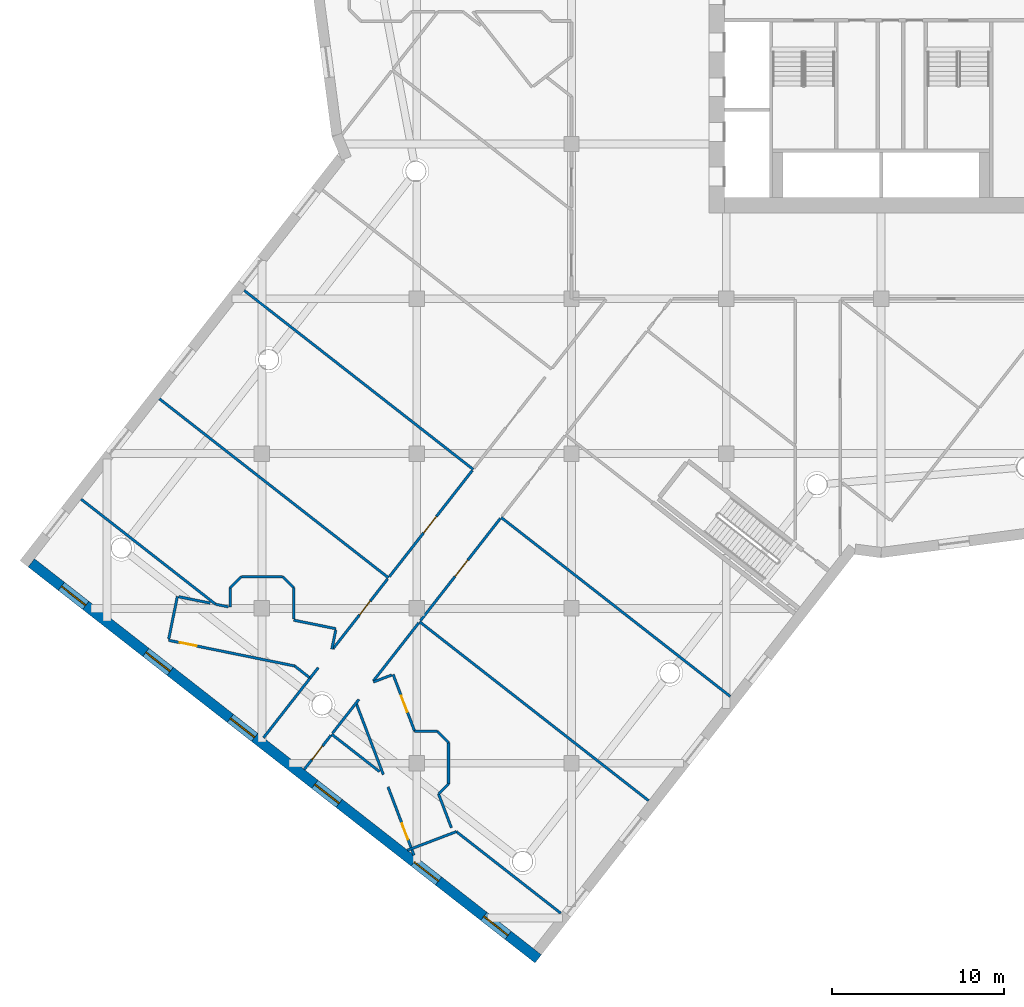
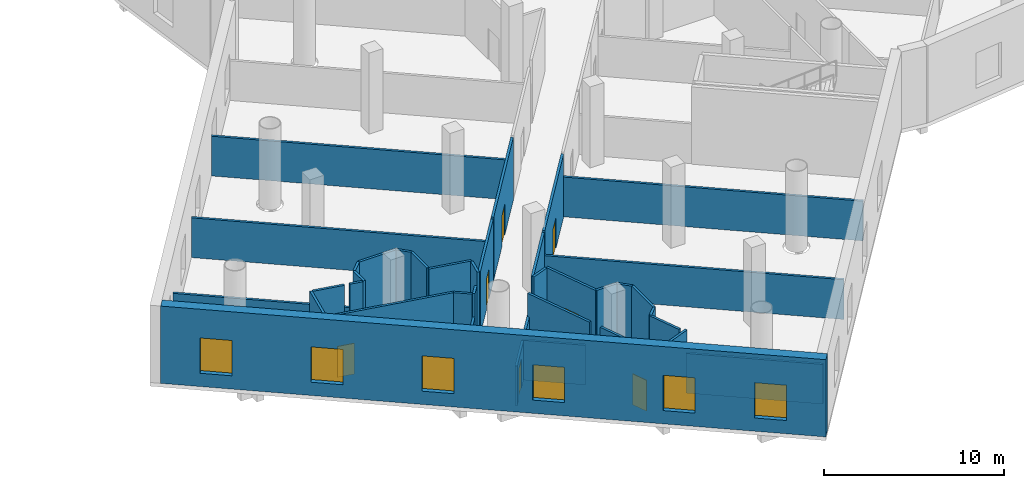
# One storey, part 4 of 23: 38 walls, 7 doors, 6 windows, 13 openings.
"""IFC4 building model written with IfcOpenShell, lengths in metres."""

from ifc_helpers import new_model, si_unit, direction, frame, frame_2d, origin, place, context, subcontext, project, spatial, rectangle, extrude, material, layer, layer_set, type_object, element, fill, save


model = new_model("IFC4")

# Units and contexts
model_context = context("Model", 3, precision=1e-05, world=origin(), true_north=direction((0.0, 1.0)))
body_context = subcontext(model_context, "Body", "Model", "MODEL_VIEW")
ifc_project = project(units=[si_unit("LENGTHUNIT", "METRE"), si_unit("AREAUNIT", "SQUARE_METRE"), si_unit("VOLUMEUNIT", "CUBIC_METRE"), si_unit("PLANEANGLEUNIT", "RADIAN"), si_unit("MASSUNIT", "GRAM", prefix="KILO")], contexts=[model_context])

# Site, building, storey
site_placement = place(None, origin())
site = spatial("IfcSite", under=ifc_project, at=site_placement, CompositionType="ELEMENT")
building_placement = place(site_placement, origin())
building = spatial("IfcBuilding", under=site, at=building_placement, Name="Tarsis Ring Headquarters", CompositionType="ELEMENT")
storey_placement = place(building_placement, frame((0.0, 0.0, 19.5)))
storey = spatial("IfcBuildingStorey", under=building, at=storey_placement, Name="L03", CompositionType="ELEMENT", Elevation=19.5)

# Walls
ifc_material_1 = material(Name="Plasterboard partition")
ifc_layer_1 = layer(ifc_material_1, 0.14990234375)
ifc_layer_set_1 = layer_set([ifc_layer_1], Name="PO-PW150")
wall_type_1 = type_object("IfcWallType", Name="PO-PW150", PredefinedType="PARTITIONING", material=ifc_layer_set_1)
wall_1_placement = place(storey_placement, frame((-22.090087890625, -30.710205078125, 0.0), z_axis=(0.0, 0.0, 1.0), x_axis=(0.788007728406, -0.615665347386, 0.0)))
element("IfcWall", 1, at=wall_1_placement, inside=storey, type_object=wall_type_1, Name="L03 partition wall 2", PredefinedType="PARTITIONING", context=body_context, shape_type="SweptSolid", body=[
    extrude(rectangle(XDim=16.900146484375, YDim=0.14990234375, at=frame_2d((8.4501953125, 0.0))), origin(), (0.0, 0.0, 1.0), 2.699951171875),
])
wall_2_placement = place(storey_placement, frame((-26.83056640625, -36.778076171875, 0.0), z_axis=(0.0, 0.0, 1.0), x_axis=(0.788014736946, -0.61565637685, 0.0)))
element("IfcWall", 2, at=wall_2_placement, inside=storey, type_object=wall_type_1, Name="L03 partition wall 3", PredefinedType="PARTITIONING", context=body_context, shape_type="SweptSolid", body=[
    extrude(rectangle(XDim=16.89990234375, YDim=0.14990234375, at=frame_2d((8.449951171875, 0.0))), origin(), (0.0, 0.0, 1.0), 2.699951171875),
])
wall_3_placement = place(storey_placement, frame((-37.03271484375, -17.512939453125, 0.0), z_axis=(0.0, 0.0, 1.0), x_axis=(0.788007728406, -0.615665347386, 0.0)))
element("IfcWall", 3, at=wall_3_placement, inside=storey, type_object=wall_type_1, Name="L03 partition wall 5", PredefinedType="PARTITIONING", context=body_context, shape_type="SweptSolid", body=[
    extrude(rectangle(XDim=16.900146484375, YDim=0.14990234375, at=frame_2d((8.4501953125, 0.0))), origin(), (0.0, 0.0, 1.0), 2.699951171875),
])
wall_4_placement = place(storey_placement, frame((-41.9580078125, -23.817138671875, 0.0), z_axis=(0.0, 0.0, 1.0), x_axis=(0.788014736946, -0.61565637685, 0.0)))
element("IfcWall", 4, at=wall_4_placement, inside=storey, type_object=wall_type_1, Name="L03 partition wall 10", PredefinedType="PARTITIONING", context=body_context, shape_type="SweptSolid", body=[
    extrude(rectangle(XDim=16.89990234375, YDim=0.14990234375, at=frame_2d((8.449951171875, 0.0))), origin(), (0.0, 0.0, 1.0), 2.699951171875),
])
wall_5_placement = place(storey_placement, frame((-38.69287109375, -35.7587890625, 0.0), z_axis=(0.0, 0.0, 1.0), x_axis=(-0.788016542083, 0.615654066342, 0.0)))
element("IfcWall", 5, at=wall_5_placement, inside=storey, type_object=wall_type_1, Name="L03 partition wall 31", PredefinedType="PARTITIONING", context=body_context, shape_type="SweptSolid", body=[
    extrude(rectangle(XDim=9.925048828125, YDim=0.14990234375, at=frame_2d((4.96240234375, 0.0))), origin(), (0.0, 0.0, 1.0), 2.699951171875),
])
wall_6_placement = place(storey_placement, frame((-24.693603515625, -48.98046875, 0.0), z_axis=(0.0, 0.0, 1.0), x_axis=(0.788008997969, -0.615663722432, 0.0)))
element("IfcWall", 6, at=wall_6_placement, inside=storey, type_object=wall_type_1, Name="L03 partition wall 41", PredefinedType="PARTITIONING", context=body_context, shape_type="SweptSolid", body=[
    extrude(rectangle(XDim=7.703369140625, YDim=0.14990234375, at=frame_2d((3.8515625, 0.0))), origin(), (0.0, 0.0, 1.0), 2.699951171875),
])
wall_7_placement = place(storey_placement, frame((-33.195556640625, -40.0537109375, 0.0), z_axis=(0.0, 0.0, 1.0), x_axis=(-0.615667729888, -0.788005866967, 0.0)))
element("IfcWall", 7, at=wall_7_placement, inside=storey, type_object=wall_type_1, Name="L03 partition wall 77", PredefinedType="PARTITIONING", context=body_context, shape_type="SweptSolid", body=[
    extrude(rectangle(XDim=4.400146484375, YDim=0.14990234375, at=frame_2d((2.2001953125, 0.0))), origin(), (0.0, 0.0, 1.0), 2.699951171875),
])
wall_8_placement = place(storey_placement, frame((-31.940673828125, -43.318359375, 0.0), z_axis=(0.0, 0.0, 1.0), x_axis=(0.788008677446, -0.615664132681, 0.0)))
element("IfcWall", 8, at=wall_8_placement, inside=storey, type_object=wall_type_1, Name="L03 partition wall 90", PredefinedType="PARTITIONING", context=body_context, shape_type="SweptSolid", body=[
    extrude(rectangle(XDim=3.537109375, YDim=0.14990234375, at=frame_2d((1.7685546875, 0.0))), origin(), (0.0, 0.0, 1.0), 2.699951171875),
])

# Wall, opening, door
wall_9_placement = place(storey_placement, frame((-31.98974609375, -43.381591796875, 0.0), z_axis=(0.0, 0.0, 1.0), x_axis=(-0.615709844677, -0.787972960937, 0.0)))
wall_9 = element("IfcWall", 9, at=wall_9_placement, inside=storey, type_object=wall_type_1, Name="L03 partition wall 108", PredefinedType="PARTITIONING", context=body_context, shape_type="SweptSolid", body=[
    extrude(rectangle(XDim=2.519775390625, YDim=0.14990234375, at=frame_2d((1.259765625, 0.0))), origin(), (0.0, 0.0, 1.0), 2.699951171875),
])
opening_1_placement = place(wall_9_placement, frame((0.799072265625, 0.0, 0.0)))
opening_1 = element("IfcOpeningElement", 10, at=opening_1_placement, cuts=wall_9, Name="Opening PO-D1A", PredefinedType="OPENING", context=body_context, shape_type="SweptSolid", body=[
    extrude(rectangle(XDim=1.0, YDim=2.10009765625, at=frame_2d((0.5, 1.050048828125))), frame((0.0, 0.0849609375, 0.0), z_axis=(0.0, -1.0, 0.0), x_axis=(1.0, 0.0, 0.0)), (0.0, 0.0, 1.0), 0.169921875),
])
ifc_material_2 = material(Name="Timber door", Category="wood")
door_type_1 = type_object("IfcDoorType", Name="PO-D1000-UNRATED", OperationType="NOTDEFINED", PredefinedType="DOOR", material=ifc_material_2)
door_1_placement = place(opening_1_placement, origin())
door_1 = element("IfcDoor", 11, at=door_1_placement, inside=storey, type_object=door_type_1, Name="Meeting room door", OperationType="SINGLE_SWING_RIGHT", OverallHeight=2.10009765625, OverallWidth=1.0, PredefinedType="DOOR", context=body_context, shape_type="SweptSolid", body=[
    extrude(rectangle(XDim=1.0, YDim=2.10009765625, at=frame_2d((0.5, 1.050048828125))), frame((0.0, 0.02490234375, 0.0), z_axis=(0.0, -1.0, 0.0), x_axis=(1.0, 0.0, 0.0)), (0.0, 0.0, 1.0), 0.050048828125),
])
fill(opening_1, door_1)

# Wall
wall_10_placement = place(storey_placement, frame((-31.89208984375, -43.2548828125, 0.0), z_axis=(0.0, 0.0, 1.0), x_axis=(0.615659288052, 0.788012462487, 0.0)))
element("IfcWall", 12, at=wall_10_placement, inside=storey, type_object=wall_type_1, Name="L03 partition wall 111", PredefinedType="PARTITIONING", context=body_context, shape_type="SweptSolid", body=[
    extrude(rectangle(XDim=2.486083984375, YDim=0.14990234375, at=frame_2d((1.2431640625, 0.0))), origin(), (0.0, 0.0, 1.0), 2.699951171875),
])

# Wall, opening, door
ifc_layer_2 = layer(ifc_material_1, 0.14990234375)
ifc_layer_set_2 = layer_set([ifc_layer_2], Name="PO-PW150R-4283")
wall_type_2 = type_object("IfcWallType", Name="PO-PW150R-4283", PredefinedType="PARTITIONING", material=ifc_layer_set_2)
wall_11_placement = place(storey_placement, frame((-28.59130859375, -34.15869140625, 0.0), z_axis=(0.0, 0.0, 1.0), x_axis=(0.615672443529, 0.788002184184, 0.0)))
wall_11 = element("IfcWall", 13, at=wall_11_placement, inside=storey, type_object=wall_type_2, Name="L03 partition wall 38", PredefinedType="PARTITIONING", context=body_context, shape_type="SweptSolid", body=[
    extrude(rectangle(XDim=7.840087890625, YDim=0.14990234375, at=frame_2d((3.919921875, 0.0))), origin(), (0.0, 0.0, 1.0), 4.282958984375),
])
opening_2_placement = place(wall_11_placement, frame((3.239990234375, 0.0, 0.0)))
opening_2 = element("IfcOpeningElement", 14, at=opening_2_placement, cuts=wall_11, Name="Opening PO-D2", PredefinedType="OPENING", context=body_context, shape_type="SweptSolid", body=[
    extrude(rectangle(XDim=1.199951171875, YDim=2.10009765625, at=frame_2d((0.60009765625, 1.050048828125))), frame((0.0, 0.0849609375, 0.0), z_axis=(0.0, -1.0, 0.0), x_axis=(1.0, 0.0, 0.0)), (0.0, 0.0, 1.0), 0.169921875),
])
door_type_2 = type_object("IfcDoorType", Name="PO-D1200", OperationType="NOTDEFINED", PredefinedType="DOOR", material=ifc_material_2)
door_2_placement = place(opening_2_placement, origin())
door_2 = element("IfcDoor", 15, at=door_2_placement, inside=storey, type_object=door_type_2, Name="First aid room door", OperationType="SINGLE_SWING_LEFT", OverallHeight=2.10009765625, OverallWidth=1.199951171875, PredefinedType="DOOR", context=body_context, shape_type="SweptSolid", body=[
    extrude(rectangle(XDim=1.199951171875, YDim=2.10009765625, at=frame_2d((0.60009765625, 1.050048828125))), frame((0.0, 0.02490234375, 0.0), z_axis=(0.0, -1.0, 0.0), x_axis=(1.0, 0.0, 0.0)), (0.0, 0.0, 1.0), 0.050048828125),
])
fill(opening_2, door_2)

wall_12_placement = place(storey_placement, frame((-22.13916015625, -30.7734375, 0.0), z_axis=(0.0, 0.0, 1.0), x_axis=(-0.61567420268, -0.788000809742, 0.0)))
wall_12 = element("IfcWall", 16, at=wall_12_placement, inside=storey, type_object=wall_type_2, Name="L03 partition wall 43", PredefinedType="PARTITIONING", context=body_context, shape_type="SweptSolid", body=[
    extrude(rectangle(XDim=7.539794921875, YDim=0.14990234375, at=frame_2d((3.77001953125, 0.0))), origin(), (0.0, 0.0, 1.0), 4.282958984375),
])
opening_3_placement = place(wall_12_placement, frame((3.070068359375, 0.0, 0.0)))
opening_3 = element("IfcOpeningElement", 17, at=opening_3_placement, cuts=wall_12, Name="Opening PO-D2", PredefinedType="OPENING", context=body_context, shape_type="SweptSolid", body=[
    extrude(rectangle(XDim=1.199951171875, YDim=2.10009765625, at=frame_2d((0.60009765625, 1.050048828125))), frame((0.0, 0.0849609375, 0.0), z_axis=(0.0, -1.0, 0.0), x_axis=(1.0, 0.0, 0.0)), (0.0, 0.0, 1.0), 0.169921875),
])
door_3_placement = place(opening_3_placement, origin())
door_3 = element("IfcDoor", 18, at=door_3_placement, inside=storey, type_object=door_type_2, Name="Staff clinic door", OperationType="SINGLE_SWING_LEFT", OverallHeight=2.10009765625, OverallWidth=1.199951171875, PredefinedType="DOOR", context=body_context, shape_type="SweptSolid", body=[
    extrude(rectangle(XDim=1.199951171875, YDim=2.10009765625, at=frame_2d((0.60009765625, 1.050048828125))), frame((0.0, 0.02490234375, 0.0), z_axis=(0.0, -1.0, 0.0), x_axis=(1.0, 0.0, 0.0)), (0.0, 0.0, 1.0), 0.050048828125),
])
fill(opening_3, door_3)

wall_13_placement = place(storey_placement, frame((-34.099609375, -39.347412109375, 0.0), z_axis=(0.0, 0.0, 1.0), x_axis=(-0.97989225883, 0.199527344205, 0.0)))
wall_13 = element("IfcWall", 19, at=wall_13_placement, inside=storey, type_object=wall_type_2, Name="L03 partition wall 46", PredefinedType="PARTITIONING", context=body_context, shape_type="SweptSolid", body=[
    extrude(rectangle(XDim=7.484619140625, YDim=0.14990234375, at=frame_2d((3.7421875, 0.0))), origin(), (0.0, 0.0, 1.0), 4.282958984375),
])
opening_4_placement = place(wall_13_placement, frame((5.820556640625, 0.0, 0.0)))
opening_4 = element("IfcOpeningElement", 20, at=opening_4_placement, cuts=wall_13, Name="Opening PO-D1", PredefinedType="OPENING", context=body_context, shape_type="SweptSolid", body=[
    extrude(rectangle(XDim=1.0, YDim=2.10009765625, at=frame_2d((0.5, 1.050048828125))), frame((0.0, 0.0849609375, 0.0), z_axis=(0.0, -1.0, 0.0), x_axis=(1.0, 0.0, 0.0)), (0.0, 0.0, 1.0), 0.169921875),
])
door_type_3 = type_object("IfcDoorType", Name="PO-D1000", OperationType="NOTDEFINED", PredefinedType="DOOR", material=ifc_material_2)
door_4_placement = place(opening_4_placement, origin())
door_4 = element("IfcDoor", 21, at=door_4_placement, inside=storey, type_object=door_type_3, Name="Pharmacy store door", OperationType="SINGLE_SWING_LEFT", OverallHeight=2.10009765625, OverallWidth=1.0, PredefinedType="DOOR", context=body_context, shape_type="SweptSolid", body=[
    extrude(rectangle(XDim=1.0, YDim=2.10009765625, at=frame_2d((0.5, 1.050048828125))), frame((0.0, 0.02490234375, 0.0), z_axis=(0.0, -1.0, 0.0), x_axis=(1.0, 0.0, 0.0)), (0.0, 0.0, 1.0), 0.050048828125),
])
fill(opening_4, door_4)

wall_14_placement = place(storey_placement, frame((-31.86767578125, -38.352294921875, 0.0), z_axis=(0.0, 0.0, 1.0), x_axis=(0.615684427017, 0.787992821242, 0.0)))
wall_14 = element("IfcWall", 22, at=wall_14_placement, inside=storey, type_object=wall_type_2, Name="L03 partition wall 67", PredefinedType="PARTITIONING", context=body_context, shape_type="SweptSolid", body=[
    extrude(rectangle(XDim=5.16162109375, YDim=0.14990234375, at=frame_2d((2.580810546875, 0.0))), origin(), (0.0, 0.0, 1.0), 4.282958984375),
])
opening_5_placement = place(wall_14_placement, frame((2.513916015625, 0.0, 0.0)))
opening_5 = element("IfcOpeningElement", 23, at=opening_5_placement, cuts=wall_14, Name="Opening PO-D1", PredefinedType="OPENING", context=body_context, shape_type="SweptSolid", body=[
    extrude(rectangle(XDim=1.0, YDim=2.10009765625, at=frame_2d((0.5, 1.050048828125))), frame((0.0, 0.0849609375, 0.0), z_axis=(0.0, -1.0, 0.0), x_axis=(1.0, 0.0, 0.0)), (0.0, 0.0, 1.0), 0.169921875),
])
door_5_placement = place(opening_5_placement, origin())
door_5 = element("IfcDoor", 24, at=door_5_placement, inside=storey, type_object=door_type_3, Name="Physiotherapy room door", OperationType="SINGLE_SWING_RIGHT", OverallHeight=2.10009765625, OverallWidth=1.0, PredefinedType="DOOR", context=body_context, shape_type="SweptSolid", body=[
    extrude(rectangle(XDim=1.0, YDim=2.10009765625, at=frame_2d((0.5, 1.050048828125))), frame((0.0, 0.02490234375, 0.0), z_axis=(0.0, -1.0, 0.0), x_axis=(1.0, 0.0, 0.0)), (0.0, 0.0, 1.0), 0.050048828125),
])
fill(opening_5, door_5)

# Walls
wall_15_placement = place(storey_placement, frame((-28.940673828125, -45.662353515625, 0.0), z_axis=(0.0, 0.0, 1.0), x_axis=(-0.355445120176, 0.934697152314, 0.0)))
element("IfcWall", 25, at=wall_15_placement, inside=storey, type_object=wall_type_2, Name="L03 partition wall 76", PredefinedType="PARTITIONING", context=body_context, shape_type="SweptSolid", body=[
    extrude(rectangle(XDim=4.447509765625, YDim=0.14990234375, at=frame_2d((2.2236328125, 0.0))), origin(), (0.0, 0.0, 1.0), 4.282958984375),
])
wall_16_placement = place(storey_placement, frame((-26.8798828125, -36.841064453125, 0.0), z_axis=(0.0, 0.0, 1.0), x_axis=(-0.61566064303, -0.788011403867, 0.0)))
element("IfcWall", 26, at=wall_16_placement, inside=storey, type_object=wall_type_2, Name="L03 partition wall 78", PredefinedType="PARTITIONING", context=body_context, shape_type="SweptSolid", body=[
    extrude(rectangle(XDim=4.28076171875, YDim=0.14990234375, at=frame_2d((2.140380859375, 0.0))), origin(), (0.0, 0.0, 1.0), 4.282958984375),
])

# Wall, opening, door
wall_17_placement = place(storey_placement, frame((-27.155517578125, -50.3564453125, 0.0), z_axis=(0.0, 0.0, 1.0), x_axis=(-0.355450649411, 0.934695049646, 0.0)))
wall_17 = element("IfcWall", 27, at=wall_17_placement, inside=storey, type_object=wall_type_2, Name="L03 partition wall 83", PredefinedType="PARTITIONING", context=body_context, shape_type="SweptSolid", body=[
    extrude(rectangle(XDim=4.250244140625, YDim=0.14990234375, at=frame_2d((2.125, 0.0))), origin(), (0.0, 0.0, 1.0), 4.282958984375),
])
opening_6_placement = place(wall_17_placement, frame((0.98095703125, 0.0, 0.0)))
opening_6 = element("IfcOpeningElement", 28, at=opening_6_placement, cuts=wall_17, Name="Opening PO-D1", PredefinedType="OPENING", context=body_context, shape_type="SweptSolid", body=[
    extrude(rectangle(XDim=1.0, YDim=2.10009765625, at=frame_2d((0.5, 1.050048828125))), frame((0.0, 0.0849609375, 0.0), z_axis=(0.0, -1.0, 0.0), x_axis=(1.0, 0.0, 0.0)), (0.0, 0.0, 1.0), 0.169921875),
])
door_6_placement = place(opening_6_placement, origin())
door_6 = element("IfcDoor", 29, at=door_6_placement, inside=storey, type_object=door_type_3, Name="First aid room door", OperationType="SINGLE_SWING_LEFT", OverallHeight=2.10009765625, OverallWidth=1.0, PredefinedType="DOOR", context=body_context, shape_type="SweptSolid", body=[
    extrude(rectangle(XDim=1.0, YDim=2.10009765625, at=frame_2d((0.5, 1.050048828125))), frame((0.0, 0.02490234375, 0.0), z_axis=(0.0, -1.0, 0.0), x_axis=(1.0, 0.0, 0.0)), (0.0, 0.0, 1.0), 0.050048828125),
])
fill(opening_6, door_6)

wall_18_placement = place(storey_placement, frame((-28.37158203125, -39.84375, 0.0), z_axis=(0.0, 0.0, 1.0), x_axis=(0.355461411085, -0.934690957071, 0.0)))
wall_18 = element("IfcWall", 30, at=wall_18_placement, inside=storey, type_object=wall_type_2, Name="L03 partition wall 92", PredefinedType="PARTITIONING", context=body_context, shape_type="SweptSolid", body=[
    extrude(rectangle(XDim=3.537109375, YDim=0.14990234375, at=frame_2d((1.7685546875, 0.0))), origin(), (0.0, 0.0, 1.0), 4.282958984375),
])
opening_7_placement = place(wall_18_placement, frame((1.327880859375, 0.0, 0.0)))
opening_7 = element("IfcOpeningElement", 31, at=opening_7_placement, cuts=wall_18, Name="Opening PO-D1", PredefinedType="OPENING", context=body_context, shape_type="SweptSolid", body=[
    extrude(rectangle(XDim=1.0, YDim=2.10009765625, at=frame_2d((0.5, 1.050048828125))), frame((0.0, 0.0849609375, 0.0), z_axis=(0.0, -1.0, 0.0), x_axis=(1.0, 0.0, 0.0)), (0.0, 0.0, 1.0), 0.169921875),
])
door_7_placement = place(opening_7_placement, origin())
door_7 = element("IfcDoor", 32, at=door_7_placement, inside=storey, type_object=door_type_3, Name="Consulting room door", OperationType="SINGLE_SWING_RIGHT", OverallHeight=2.10009765625, OverallWidth=1.0, PredefinedType="DOOR", context=body_context, shape_type="SweptSolid", body=[
    extrude(rectangle(XDim=1.0, YDim=2.10009765625, at=frame_2d((0.5, 1.050048828125))), frame((0.0, 0.02490234375, 0.0), z_axis=(0.0, -1.0, 0.0), x_axis=(1.0, 0.0, 0.0)), (0.0, 0.0, 1.0), 0.050048828125),
])
fill(opening_7, door_7)

# Walls
wall_19_placement = place(storey_placement, frame((-24.693603515625, -48.98046875, 0.0), z_axis=(0.0, 0.0, 1.0), x_axis=(-0.934711536794, -0.355407291687, 0.0)))
element("IfcWall", 33, at=wall_19_placement, inside=storey, type_object=wall_type_2, Name="L03 partition wall 94", PredefinedType="PARTITIONING", context=body_context, shape_type="SweptSolid", body=[
    extrude(rectangle(XDim=3.0390625, YDim=0.14990234375, at=frame_2d((1.51953125, 0.0))), origin(), (0.0, 0.0, 1.0), 4.282958984375),
])
wall_20_placement = place(storey_placement, frame((-41.41796875, -37.775390625, 0.0), z_axis=(0.0, 0.0, 1.0), x_axis=(0.199580364844, 0.979881461182, 0.0)))
element("IfcWall", 34, at=wall_20_placement, inside=storey, type_object=wall_type_2, Name="L03 partition wall 110", PredefinedType="PARTITIONING", context=body_context, shape_type="SweptSolid", body=[
    extrude(rectangle(XDim=2.52001953125, YDim=0.14990234375, at=frame_2d((1.260009765625, 0.0))), origin(), (0.0, 0.0, 1.0), 4.282958984375),
])
wall_21_placement = place(storey_placement, frame((-34.14990234375, -36.683837890625, 0.0), z_axis=(0.0, 0.0, 1.0), x_axis=(0.979886062723, -0.199557771288, 0.0)))
element("IfcWall", 35, at=wall_21_placement, inside=storey, type_object=wall_type_2, Name="L03 partition wall 113", PredefinedType="PARTITIONING", context=body_context, shape_type="SweptSolid", body=[
    extrude(rectangle(XDim=2.50927734375, YDim=0.14990234375, at=frame_2d((1.254638671875, 0.0))), origin(), (0.0, 0.0, 1.0), 4.282958984375),
])
for number, where, z_axis, x_axis, name in (
    (36, (-37.199951171875, -34.14990234375, 0.0), (0.0, 0.0, 1.0), (1.0, 0.0, 0.0), "L03 partition wall 118"),
    (37, (-25.14990234375, -43.800048828125, 0.0), (0.0, 0.0, 1.0), (0.0, -1.0, 0.0), "L03 partition wall 119"),
):
    element("IfcWall", number, at=place(storey_placement, frame(where, z_axis=z_axis, x_axis=x_axis)), inside=storey, type_object=wall_type_2, Name=name, PredefinedType="PARTITIONING", context=body_context, shape_type="SweptSolid", body=[
        extrude(rectangle(XDim=2.39990234375, YDim=0.14990234375, at=frame_2d((1.199951171875, 0.0))), origin(), (0.0, 0.0, 1.0), 4.282958984375),
    ])
wall_22_placement = place(storey_placement, frame((-40.836669921875, -35.322265625, 0.0), z_axis=(0.0, 0.0, 1.0), x_axis=(0.979901162154, -0.199483614387, 0.0)))
element("IfcWall", 38, at=wall_22_placement, inside=storey, type_object=wall_type_2, Name="L03 partition wall 125", PredefinedType="PARTITIONING", context=body_context, shape_type="SweptSolid", body=[
    extrude(rectangle(XDim=1.86767578125, YDim=0.14990234375, at=frame_2d((0.933837890625, 0.0))), origin(), (0.0, 0.0, 1.0), 4.282958984375),
])
wall_23_placement = place(storey_placement, frame((-25.73291015625, -46.782958984375, 0.0), z_axis=(0.0, 0.0, 1.0), x_axis=(0.355509073576, -0.934672829714, 0.0)))
element("IfcWall", 39, at=wall_23_placement, inside=storey, type_object=wall_type_2, Name="L03 partition wall 126", PredefinedType="PARTITIONING", context=body_context, shape_type="SweptSolid", body=[
    extrude(rectangle(XDim=2.10888671875, YDim=0.14990234375, at=frame_2d((1.054443359375, 0.0))), origin(), (0.0, 0.0, 1.0), 4.282958984375),
])
wall_24_placement = place(storey_placement, frame((-34.14990234375, -34.800048828125, 0.0), z_axis=(0.0, 0.0, 1.0), x_axis=(0.0, -1.0, 0.0)))
element("IfcWall", 40, at=wall_24_placement, inside=storey, type_object=wall_type_2, Name="L03 partition wall 136", PredefinedType="PARTITIONING", context=body_context, shape_type="SweptSolid", body=[
    extrude(rectangle(XDim=1.8037109375, YDim=0.14990234375, at=frame_2d((0.90185546875, 0.0))), origin(), (0.0, 0.0, 1.0), 4.282958984375),
])
wall_25_placement = place(storey_placement, frame((-27.1142578125, -43.14990234375, 0.0), z_axis=(0.0, 0.0, 1.0), x_axis=(1.0, 0.0, 0.0)))
element("IfcWall", 41, at=wall_25_placement, inside=storey, type_object=wall_type_2, Name="L03 partition wall 146", PredefinedType="PARTITIONING", context=body_context, shape_type="SweptSolid", body=[
    extrude(rectangle(XDim=1.314208984375, YDim=0.14990234375, at=frame_2d((0.6572265625, 0.0))), origin(), (0.0, 0.0, 1.0), 4.282958984375),
])
wall_26_placement = place(storey_placement, frame((-29.5146484375, -40.2783203125, 0.0), z_axis=(0.0, 0.0, 1.0), x_axis=(0.934677129106, 0.35549776979, 0.0)))
element("IfcWall", 42, at=wall_26_placement, inside=storey, type_object=wall_type_2, Name="L03 partition wall 149", PredefinedType="PARTITIONING", context=body_context, shape_type="SweptSolid", body=[
    extrude(rectangle(XDim=1.142822265625, YDim=0.14990234375, at=frame_2d((0.5712890625, 0.0))), origin(), (0.0, 0.0, 1.0), 4.282958984375),
])
wall_27_placement = place(storey_placement, frame((-31.70703125, -37.262939453125, 0.0), z_axis=(0.0, 0.0, 1.0), x_axis=(-0.199562239611, -0.97988515272, 0.0)))
element("IfcWall", 43, at=wall_27_placement, inside=storey, type_object=wall_type_2, Name="L03 partition wall 150", PredefinedType="PARTITIONING", context=body_context, shape_type="SweptSolid", body=[
    extrude(rectangle(XDim=1.13037109375, YDim=0.14990234375, at=frame_2d((0.565185546875, 0.0))), origin(), (0.0, 0.0, 1.0), 4.282958984375),
])
wall_28_placement = place(storey_placement, frame((-33.259521484375, -40.00390625, 0.0), z_axis=(0.0, 0.0, 1.0), x_axis=(-0.787944520179, 0.615746240849, 0.0)))
element("IfcWall", 44, at=wall_28_placement, inside=storey, type_object=wall_type_2, Name="L03 partition wall 154", PredefinedType="PARTITIONING", context=body_context, shape_type="SweptSolid", body=[
    extrude(rectangle(XDim=1.066162109375, YDim=0.14990234375, at=frame_2d((0.533203125, 0.0))), origin(), (0.0, 0.0, 1.0), 4.282958984375),
])
wall_29_placement = place(storey_placement, frame((-37.85009765625, -35.930419921875, 0.0), z_axis=(0.0, 0.0, 1.0), x_axis=(0.0, 1.0, 0.0)))
element("IfcWall", 45, at=wall_29_placement, inside=storey, type_object=wall_type_2, Name="L03 partition wall 157", PredefinedType="PARTITIONING", context=body_context, shape_type="SweptSolid", body=[
    extrude(rectangle(XDim=1.13037109375, YDim=0.14990234375, at=frame_2d((0.565185546875, 0.0))), origin(), (0.0, 0.0, 1.0), 4.282958984375),
])
for number, where, z_axis, x_axis, name in (
    (46, (-25.800048828125, -43.14990234375, 0.0), (0.0, 0.0, 1.0), (0.707106781187, -0.707106781187, 0.0), "L03 partition wall 161"),
    (47, (-37.85009765625, -34.800048828125, 0.0), (0.0, 0.0, 1.0), (0.707106781187, 0.707106781187, 0.0), "L03 partition wall 162"),
    (48, (-34.800048828125, -34.14990234375, 0.0), (0.0, 0.0, 1.0), (0.707106781187, -0.707106781187, 0.0), "L03 partition wall 165"),
):
    element("IfcWall", number, at=place(storey_placement, frame(where, z_axis=z_axis, x_axis=x_axis)), inside=storey, type_object=wall_type_2, Name=name, PredefinedType="PARTITIONING", context=body_context, shape_type="SweptSolid", body=[
        extrude(rectangle(XDim=0.91943359375, YDim=0.14990234375, at=frame_2d((0.459716796875, 0.0))), origin(), (0.0, 0.0, 1.0), 4.282958984375),
    ])
wall_30_placement = place(storey_placement, frame((-38.69287109375, -35.7587890625, 0.0), z_axis=(0.0, 0.0, 1.0), x_axis=(0.979907945621, -0.199450289817, 0.0)))
element("IfcWall", 49, at=wall_30_placement, inside=storey, type_object=wall_type_2, Name="L03 partition wall 166", PredefinedType="PARTITIONING", context=body_context, shape_type="SweptSolid", body=[
    extrude(rectangle(XDim=0.76025390625, YDim=0.14990234375, at=frame_2d((0.380126953125, 0.0))), origin(), (0.0, 0.0, 1.0), 4.282958984375),
])
wall_31_placement = place(storey_placement, frame((-25.14990234375, -46.199951171875, 0.0), z_axis=(0.0, 0.0, 1.0), x_axis=(-0.707106781187, -0.707106781187, 0.0)))
element("IfcWall", 50, at=wall_31_placement, inside=storey, type_object=wall_type_2, Name="L03 partition wall 167", PredefinedType="PARTITIONING", context=body_context, shape_type="SweptSolid", body=[
    extrude(rectangle(XDim=0.824462890625, YDim=0.14990234375, at=frame_2d((0.412109375, 0.0))), origin(), (0.0, 0.0, 1.0), 4.282958984375),
])
wall_32_placement = place(storey_placement, frame((-32.722900390625, -39.448486328125, 0.0), z_axis=(0.0, 0.0, 1.0), x_axis=(-0.615502132327, -0.788135220061, 0.0)))
element("IfcWall", 51, at=wall_32_placement, inside=storey, type_object=wall_type_2, Name="L03 partition wall 172", PredefinedType="PARTITIONING", context=body_context, shape_type="SweptSolid", body=[
    extrude(rectangle(XDim=0.767822265625, YDim=0.14990234375, at=frame_2d((0.3837890625, 0.0))), origin(), (0.0, 0.0, 1.0), 4.282958984375),
])

# Wall, openings, windows
ifc_material_3 = material(Name="Concrete C60/75", Category="concrete")
ifc_layer_3 = layer(ifc_material_3, 0.60009765625)
ifc_layer_set_3 = layer_set([ifc_layer_3], Name="PO-W600")
wall_type_3 = type_object("IfcWallType", Name="PO-W600", PredefinedType="SOLIDWALL", material=ifc_layer_set_3)
wall_33_placement = place(storey_placement, frame((-49.407470703125, -33.35205078125, 0.0), z_axis=(0.0, 0.0, 1.0), x_axis=(0.788012893483, -0.615658736399, 0.0)))
wall_33 = element("IfcWall", 52, at=wall_33_placement, inside=storey, type_object=wall_type_3, Name="L03 external wall 7", PredefinedType="SOLIDWALL", context=body_context, shape_type="SweptSolid", body=[
    extrude(rectangle(XDim=37.39990234375, YDim=0.60009765625, at=frame_2d((18.699951171875, 0.0))), origin(), (0.0, 0.0, 1.0), 5.25),
])
opening_8_placement = place(wall_33_placement, frame((2.216552734375, 0.0, 0.89990234375)))
opening_8 = element("IfcOpeningElement", 53, at=opening_8_placement, cuts=wall_33, Name="Opening PO-WN1", PredefinedType="OPENING", context=body_context, shape_type="SweptSolid", body=[
    extrude(rectangle(XDim=1.800048828125, YDim=2.39990234375, at=frame_2d((0.89990234375, 1.199951171875))), frame((0.0, 0.31005859375, 0.0), z_axis=(0.0, -1.0, 0.0), x_axis=(1.0, 0.0, 0.0)), (0.0, 0.0, 1.0), 0.6201171875),
])
opening_9_placement = place(wall_33_placement, frame((8.449951171875, 0.0, 0.89990234375)))
opening_9 = element("IfcOpeningElement", 54, at=opening_9_placement, cuts=wall_33, Name="Opening PO-WN1", PredefinedType="OPENING", context=body_context, shape_type="SweptSolid", body=[
    extrude(rectangle(XDim=1.800048828125, YDim=2.39990234375, at=frame_2d((0.89990234375, 1.199951171875))), frame((0.0, 0.31005859375, 0.0), z_axis=(0.0, -1.0, 0.0), x_axis=(1.0, 0.0, 0.0)), (0.0, 0.0, 1.0), 0.6201171875),
])
opening_10_placement = place(wall_33_placement, frame((14.683349609375, 0.0, 0.89990234375)))
opening_10 = element("IfcOpeningElement", 55, at=opening_10_placement, cuts=wall_33, Name="Opening PO-WN1", PredefinedType="OPENING", context=body_context, shape_type="SweptSolid", body=[
    extrude(rectangle(XDim=1.800048828125, YDim=2.39990234375, at=frame_2d((0.89990234375, 1.199951171875))), frame((0.0, 0.31005859375, 0.0), z_axis=(0.0, -1.0, 0.0), x_axis=(1.0, 0.0, 0.0)), (0.0, 0.0, 1.0), 0.6201171875),
])
opening_11_placement = place(wall_33_placement, frame((20.916748046875, 0.0, 0.89990234375)))
opening_11 = element("IfcOpeningElement", 56, at=opening_11_placement, cuts=wall_33, Name="Opening PO-WN1", PredefinedType="OPENING", context=body_context, shape_type="SweptSolid", body=[
    extrude(rectangle(XDim=1.800048828125, YDim=2.39990234375, at=frame_2d((0.89990234375, 1.199951171875))), frame((0.0, 0.31005859375, 0.0), z_axis=(0.0, -1.0, 0.0), x_axis=(1.0, 0.0, 0.0)), (0.0, 0.0, 1.0), 0.6201171875),
])
opening_12_placement = place(wall_33_placement, frame((28.25, 0.0, 0.89990234375)))
opening_12 = element("IfcOpeningElement", 57, at=opening_12_placement, cuts=wall_33, Name="Opening PO-WN1", PredefinedType="OPENING", context=body_context, shape_type="SweptSolid", body=[
    extrude(rectangle(XDim=1.800048828125, YDim=2.39990234375, at=frame_2d((0.89990234375, 1.199951171875))), frame((0.0, 0.31005859375, 0.0), z_axis=(0.0, -1.0, 0.0), x_axis=(1.0, 0.0, 0.0)), (0.0, 0.0, 1.0), 0.6201171875),
])
opening_13_placement = place(wall_33_placement, frame((33.38330078125, 0.0, 0.89990234375)))
opening_13 = element("IfcOpeningElement", 58, at=opening_13_placement, cuts=wall_33, Name="Opening PO-WN1", PredefinedType="OPENING", context=body_context, shape_type="SweptSolid", body=[
    extrude(rectangle(XDim=1.800048828125, YDim=2.39990234375, at=frame_2d((0.89990234375, 1.199951171875))), frame((0.0, 0.31005859375, 0.0), z_axis=(0.0, -1.0, 0.0), x_axis=(1.0, 0.0, 0.0)), (0.0, 0.0, 1.0), 0.6201171875),
])
ifc_material_4 = material(Name="Double glazing", Category="glass")
window_type = type_object("IfcWindowType", Name="PO-WN1800", PartitioningType="SINGLE_PANEL", PredefinedType="WINDOW", material=ifc_material_4)
window_1_placement = place(opening_8_placement, origin())
window_1 = element("IfcWindow", 59, at=window_1_placement, inside=storey, type_object=window_type, Name="L03 window 7.1", OverallHeight=2.39990234375, OverallWidth=1.800048828125, PartitioningType="SINGLE_PANEL", PredefinedType="WINDOW", context=body_context, shape_type="SweptSolid", body=[
    extrude(rectangle(XDim=1.800048828125, YDim=2.39990234375, at=frame_2d((0.89990234375, 1.199951171875))), frame((0.0, 0.030029296875, 0.0), z_axis=(0.0, -1.0, 0.0), x_axis=(1.0, 0.0, 0.0)), (0.0, 0.0, 1.0), 0.06005859375),
])
fill(opening_8, window_1)
window_2_placement = place(opening_9_placement, origin())
window_2 = element("IfcWindow", 60, at=window_2_placement, inside=storey, type_object=window_type, Name="L03 window 7.2", OverallHeight=2.39990234375, OverallWidth=1.800048828125, PartitioningType="SINGLE_PANEL", PredefinedType="WINDOW", context=body_context, shape_type="SweptSolid", body=[
    extrude(rectangle(XDim=1.800048828125, YDim=2.39990234375, at=frame_2d((0.89990234375, 1.199951171875))), frame((0.0, 0.030029296875, 0.0), z_axis=(0.0, -1.0, 0.0), x_axis=(1.0, 0.0, 0.0)), (0.0, 0.0, 1.0), 0.06005859375),
])
fill(opening_9, window_2)
window_3_placement = place(opening_10_placement, origin())
window_3 = element("IfcWindow", 61, at=window_3_placement, inside=storey, type_object=window_type, Name="L03 window 7.3", OverallHeight=2.39990234375, OverallWidth=1.800048828125, PartitioningType="SINGLE_PANEL", PredefinedType="WINDOW", context=body_context, shape_type="SweptSolid", body=[
    extrude(rectangle(XDim=1.800048828125, YDim=2.39990234375, at=frame_2d((0.89990234375, 1.199951171875))), frame((0.0, 0.030029296875, 0.0), z_axis=(0.0, -1.0, 0.0), x_axis=(1.0, 0.0, 0.0)), (0.0, 0.0, 1.0), 0.06005859375),
])
fill(opening_10, window_3)
window_4_placement = place(opening_11_placement, origin())
window_4 = element("IfcWindow", 62, at=window_4_placement, inside=storey, type_object=window_type, Name="L03 window 7.4", OverallHeight=2.39990234375, OverallWidth=1.800048828125, PartitioningType="SINGLE_PANEL", PredefinedType="WINDOW", context=body_context, shape_type="SweptSolid", body=[
    extrude(rectangle(XDim=1.800048828125, YDim=2.39990234375, at=frame_2d((0.89990234375, 1.199951171875))), frame((0.0, 0.030029296875, 0.0), z_axis=(0.0, -1.0, 0.0), x_axis=(1.0, 0.0, 0.0)), (0.0, 0.0, 1.0), 0.06005859375),
])
fill(opening_11, window_4)
window_5_placement = place(opening_12_placement, origin())
window_5 = element("IfcWindow", 63, at=window_5_placement, inside=storey, type_object=window_type, Name="L03 window 7.5", OverallHeight=2.39990234375, OverallWidth=1.800048828125, PartitioningType="SINGLE_PANEL", PredefinedType="WINDOW", context=body_context, shape_type="SweptSolid", body=[
    extrude(rectangle(XDim=1.800048828125, YDim=2.39990234375, at=frame_2d((0.89990234375, 1.199951171875))), frame((0.0, 0.030029296875, 0.0), z_axis=(0.0, -1.0, 0.0), x_axis=(1.0, 0.0, 0.0)), (0.0, 0.0, 1.0), 0.06005859375),
])
fill(opening_12, window_5)
window_6_placement = place(opening_13_placement, origin())
window_6 = element("IfcWindow", 64, at=window_6_placement, inside=storey, type_object=window_type, Name="L03 window 7.6", OverallHeight=2.39990234375, OverallWidth=1.800048828125, PartitioningType="SINGLE_PANEL", PredefinedType="WINDOW", context=body_context, shape_type="SweptSolid", body=[
    extrude(rectangle(XDim=1.800048828125, YDim=2.39990234375, at=frame_2d((0.89990234375, 1.199951171875))), frame((0.0, 0.030029296875, 0.0), z_axis=(0.0, -1.0, 0.0), x_axis=(1.0, 0.0, 0.0)), (0.0, 0.0, 1.0), 0.06005859375),
])
fill(opening_13, window_6)

save(model, "model.ifc")
